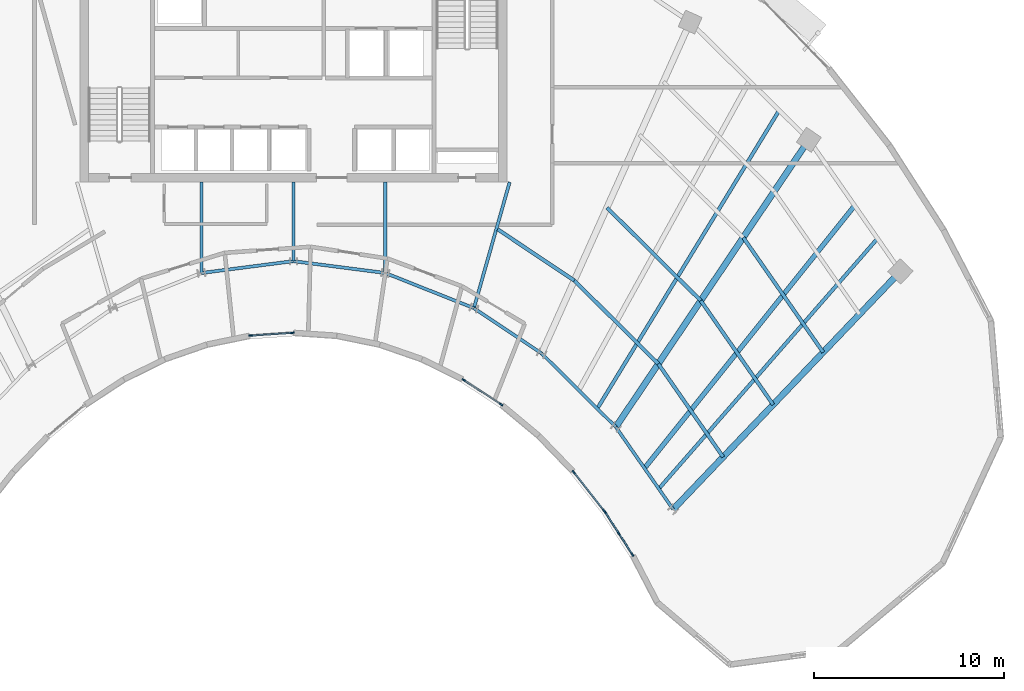
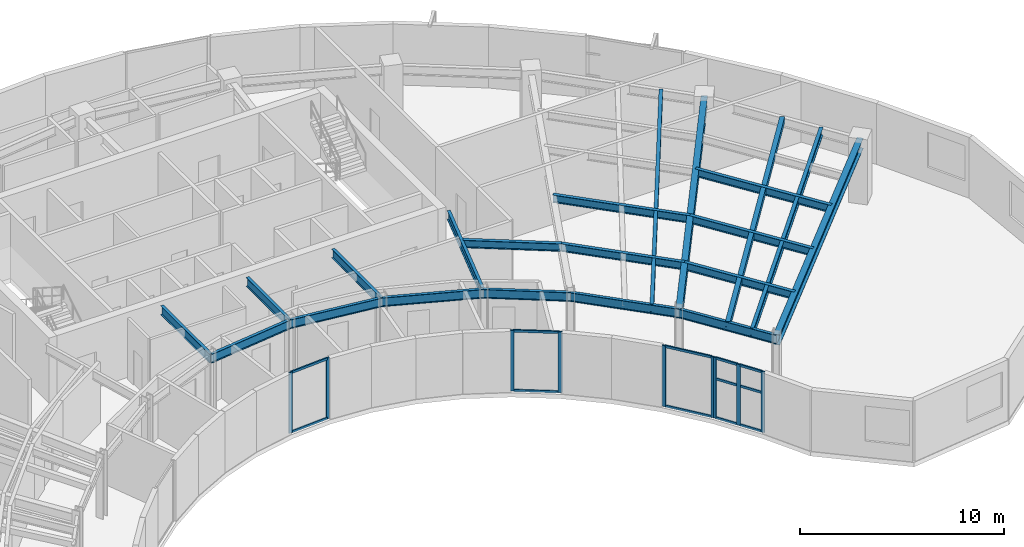
# One storey, part 3 of 14: 21 beams, 21 members, 4 elements without a shape of their own.
"""IFC4 building model written with IfcOpenShell, lengths in metres."""

from ifc_helpers import new_model, si_unit, direction, frame, origin, origin_2d, place, context, subcontext, project, spatial, rectangle, hollow_rectangle, i_section, extrude, source, transform, mapped, material, layer, layer_set, material_profile, profile_set, type_object, type_shapes, element, aggregate, save


model = new_model("IFC4")

# Units and contexts
model_context = context("Model", 3, precision=1e-05, world=origin(), true_north=direction((0.0, 1.0)))
body_context = subcontext(model_context, "Body", "Model", "MODEL_VIEW")
ifc_project = project(units=[si_unit("LENGTHUNIT", "METRE"), si_unit("AREAUNIT", "SQUARE_METRE"), si_unit("VOLUMEUNIT", "CUBIC_METRE"), si_unit("PLANEANGLEUNIT", "RADIAN"), si_unit("MASSUNIT", "GRAM", prefix="KILO")], contexts=[model_context])

# Site, building, storey
site_placement = place(None, origin())
site = spatial("IfcSite", under=ifc_project, at=site_placement, CompositionType="ELEMENT")
building_placement = place(site_placement, origin())
building = spatial("IfcBuilding", under=site, at=building_placement, Name="Breltana Convention Tower", CompositionType="ELEMENT")
storey_placement = place(building_placement, frame((0.0, 0.0, 215.699951171875)))
storey = spatial("IfcBuildingStorey", under=building, at=storey_placement, Name="L52", CompositionType="ELEMENT", Elevation=215.699951171875)

# Beams
ifc_material_1 = material(Name="Steel ASTM A992 Grade 50", Category="steel")
ifc_material_profile_1 = material_profile(ifc_material_1, i_section(OverallWidth=0.19091796875, OverallDepth=0.4599609375, WebThickness=0.010009765625, FlangeThickness=0.01611328125, at=origin_2d()), Name="W18X55")
ifc_profile_set_1 = profile_set([ifc_material_profile_1], Name="Steel ASTM A992 Grade 50")
beam_type_1 = type_object("IfcBeamType", Name="BM-JSG-07", PredefinedType="JOIST", material=ifc_profile_set_1)
shared_shape_1 = source(origin(), body_context, "Body", "SweptSolid", [
    extrude(i_section(OverallWidth=0.19091796875, OverallDepth=0.4599609375, WebThickness=0.010009765625, FlangeThickness=0.01611328125, at=origin_2d()), origin(), (0.0, 0.0, 1.0), 4.854736328125),
])
beam_1_placement = place(storey_placement, frame((58.767578125, 57.71240234375, 3.41015625), z_axis=(0.831485074305, -0.555547091801, 0.0), x_axis=(0.555547091801, 0.831485074305, 0.0)))
element("IfcBeam", 1, at=beam_1_placement, inside=storey, type_object=beam_type_1, Name="L52 Composite Floor Joist 08.1", PredefinedType="JOIST", context=body_context, shape_type="MappedRepresentation", body=[
    mapped(shared_shape_1, transform((0.0, 0.0, 0.0), scale=1.0)),
])
shared_shape_2 = source(origin(), body_context, "Body", "SweptSolid", [
    extrude(i_section(OverallWidth=0.19091796875, OverallDepth=0.4599609375, WebThickness=0.010009765625, FlangeThickness=0.01611328125, at=origin_2d()), origin(), (0.0, 0.0, 1.0), 6.2373046875),
])
beam_2_placement = place(storey_placement, frame((62.80419921875, 55.015380859375, 3.41015625), z_axis=(0.710114292485, -0.704086423394, 0.0), x_axis=(0.704086423394, 0.710114292485, 0.0)))
element("IfcBeam", 2, at=beam_2_placement, inside=storey, type_object=beam_type_1, Name="L52 Composite Floor Joist 09.1", PredefinedType="JOIST", context=body_context, shape_type="MappedRepresentation", body=[
    mapped(shared_shape_2, transform((0.0, 0.0, 0.0), scale=1.0)),
])
shared_shape_3 = source(origin(), body_context, "Body", "SweptSolid", [
    extrude(i_section(OverallWidth=0.19091796875, OverallDepth=0.4599609375, WebThickness=0.010009765625, FlangeThickness=0.01611328125, at=origin_2d()), origin(), (0.0, 0.0, 1.0), 6.963134765625),
])
beam_3_placement = place(storey_placement, frame((64.526611328125, 58.8564453125, 3.41015625), z_axis=(0.71009817493, -0.704102678564, 0.0), x_axis=(0.704102678564, 0.71009817493, 0.0)))
element("IfcBeam", 3, at=beam_3_placement, inside=storey, type_object=beam_type_1, Name="L52 Composite Floor Joist 09.2", PredefinedType="JOIST", context=body_context, shape_type="MappedRepresentation", body=[
    mapped(shared_shape_3, transform((0.0, 0.0, 0.0), scale=1.0)),
])
shared_shape_4 = source(origin(), body_context, "Body", "SweptSolid", [
    extrude(i_section(OverallWidth=0.19091796875, OverallDepth=0.4599609375, WebThickness=0.010009765625, FlangeThickness=0.01611328125, at=origin_2d()), origin(), (0.0, 0.0, 1.0), 18.409423828125),
])
beam_4_placement = place(storey_placement, frame((64.017333984375, 48.263916015625, 3.41015625), z_axis=(0.520682167606, 0.853750596098, 0.0), x_axis=(-0.853750596098, 0.520682167606, 0.0)))
element("IfcBeam", 4, at=beam_4_placement, inside=storey, type_object=beam_type_1, Name="L52 Quarter-Bay Radial Trimmer 09", PredefinedType="JOIST", context=body_context, shape_type="MappedRepresentation", body=[
    mapped(shared_shape_4, transform((0.0, 0.0, 0.0), scale=1.0)),
])
shared_shape_5 = source(origin(), body_context, "Body", "SweptSolid", [
    extrude(i_section(OverallWidth=0.19091796875, OverallDepth=0.4599609375, WebThickness=0.010009765625, FlangeThickness=0.01611328125, at=origin_2d()), origin(), (0.0, 0.0, 1.0), 5.982421875),
])
beam_5_placement = place(storey_placement, frame((67.2333984375, 50.623779296875, 3.41015625), z_axis=(0.571211549446, -0.82080287876, 0.0), x_axis=(0.82080287876, 0.571211549446, 0.0)))
element("IfcBeam", 5, at=beam_5_placement, inside=storey, type_object=beam_type_1, Name="L52 Composite Floor Joist 10.1", PredefinedType="JOIST", context=body_context, shape_type="MappedRepresentation", body=[
    mapped(shared_shape_5, transform((0.0, 0.0, 0.0), scale=1.0)),
])
shared_shape_6 = source(origin(), body_context, "Body", "SweptSolid", [
    extrude(i_section(OverallWidth=0.19091796875, OverallDepth=0.4599609375, WebThickness=0.010009765625, FlangeThickness=0.01611328125, at=origin_2d()), origin(), (0.0, 0.0, 1.0), 6.677978515625),
])
beam_6_placement = place(storey_placement, frame((69.47119140625, 53.95361328125, 3.41015625), z_axis=(0.571193018768, -0.820815774282, 0.0), x_axis=(0.820815774282, 0.571193018768, 0.0)))
element("IfcBeam", 6, at=beam_6_placement, inside=storey, type_object=beam_type_1, Name="L52 Composite Floor Joist 10.2", PredefinedType="JOIST", context=body_context, shape_type="MappedRepresentation", body=[
    mapped(shared_shape_6, transform((0.0, 0.0, 0.0), scale=1.0)),
])
shared_shape_7 = source(origin(), body_context, "Body", "SweptSolid", [
    extrude(i_section(OverallWidth=0.19091796875, OverallDepth=0.4599609375, WebThickness=0.010009765625, FlangeThickness=0.01611328125, at=origin_2d()), origin(), (0.0, 0.0, 1.0), 7.374267578125),
])
beam_7_placement = place(storey_placement, frame((71.70849609375, 57.28369140625, 3.41015625), z_axis=(0.571229379406, -0.820790470281, 0.0), x_axis=(0.820790470281, 0.571229379406, 0.0)))
element("IfcBeam", 7, at=beam_7_placement, inside=storey, type_object=beam_type_1, Name="L52 Composite Floor Joist 10.3", PredefinedType="JOIST", context=body_context, shape_type="MappedRepresentation", body=[
    mapped(shared_shape_7, transform((0.0, 0.0, 0.0), scale=1.0)),
])
ifc_material_profile_2 = material_profile(ifc_material_1, hollow_rectangle(XDim=0.25, YDim=0.35009765625, WallThickness=0.011962890625, at=origin_2d()), Name="RHS350X250X12")
ifc_profile_set_2 = profile_set([ifc_material_profile_2], Name="Steel ASTM A992 Grade 50")
beam_type_2 = type_object("IfcBeamType", Name="BM-JSG-12", PredefinedType="JOIST", material=ifc_profile_set_2)
shared_shape_8 = source(origin(), body_context, "Body", "SweptSolid", [
    extrude(hollow_rectangle(XDim=0.25, YDim=0.35009765625, WallThickness=0.011962890625, at=origin_2d()), origin(), (0.0, 0.0, 1.0), 17.7236328125),
])
beam_8_placement = place(storey_placement, frame((66.505615234375, 45.124267578125, 3.465087890625), z_axis=(0.624829427563, 0.78076128647, 0.0), x_axis=(-0.78076128647, 0.624829427563, 0.0)))
element("IfcBeam", 8, at=beam_8_placement, inside=storey, type_object=beam_type_2, Name="L52 Mid-Bay Radial Trimmer 10", PredefinedType="JOIST", context=body_context, shape_type="MappedRepresentation", body=[
    mapped(shared_shape_8, transform((0.0, 0.0, 0.0), scale=1.0)),
])
shared_shape_9 = source(origin(), body_context, "Body", "SweptSolid", [
    extrude(i_section(OverallWidth=0.19091796875, OverallDepth=0.4599609375, WebThickness=0.010009765625, FlangeThickness=0.01611328125, at=origin_2d()), origin(), (0.0, 0.0, 1.0), 17.515625),
])
beam_9_placement = place(storey_placement, frame((67.260498046875, 44.03955078125, 3.41015625), z_axis=(0.658051548324, 0.752972881151, 0.0), x_axis=(-0.752972881151, 0.658051548324, 0.0)))
element("IfcBeam", 9, at=beam_9_placement, inside=storey, type_object=beam_type_1, Name="L52 Quarter-Bay Radial Trimmer 10", PredefinedType="JOIST", context=body_context, shape_type="MappedRepresentation", body=[
    mapped(shared_shape_9, transform((0.0, 0.0, 0.0), scale=1.0)),
])
ifc_material_profile_3 = material_profile(ifc_material_1, i_section(OverallWidth=0.166015625, OverallDepth=0.534912109375, WebThickness=0.01025390625, FlangeThickness=0.0166015625, at=origin_2d()), Name="W21X57")
ifc_profile_set_3 = profile_set([ifc_material_profile_3], Name="Steel ASTM A992 Grade 50")
beam_type_3 = type_object("IfcBeamType", Name="BM-BM-W21X57", PredefinedType="BEAM", material=ifc_profile_set_3)
shared_shape_10 = source(origin(), body_context, "Body", "SweptSolid", [
    extrude(i_section(OverallWidth=0.166015625, OverallDepth=0.534912109375, WebThickness=0.01025390625, FlangeThickness=0.0166015625, at=origin_2d()), origin(), (0.0, 0.0, 1.0), 6.904541015625),
])
type_shapes(beam_type_3, [shared_shape_10])
beam_10_placement = place(storey_placement, frame((59.39990234375, 60.199951171875, 3.37255859375), z_axis=(-0.273006781054, -0.962012108811, 0.0), x_axis=(0.962012108811, -0.273006781054, 0.0)))
element("IfcBeam", 10, at=beam_10_placement, inside=storey, type_object=beam_type_3, Name="L52 South Core Tie Girder R08", PredefinedType="BEAM", context=body_context, shape_type="MappedRepresentation", body=[
    mapped(shared_shape_10, transform((0.0, 0.0, 0.0), scale=1.0)),
])
shared_shape_11 = source(origin(), body_context, "Body", "SweptSolid", [
    extrude(i_section(OverallWidth=0.166015625, OverallDepth=0.534912109375, WebThickness=0.01025390625, FlangeThickness=0.0166015625, at=origin_2d()), origin(), (0.0, 0.0, 1.0), 4.789306640625),
])
for number, where, z_axis, x_axis, name in (
    (11, (43.153564453125, 60.199951171875, 3.37255859375), (0.0, -1.0, 0.0), (1.0, 0.0, 0.0), "L52 South Core Tie Girder R05"),
    (12, (52.846435546875, 60.199951171875, 3.37255859375), (0.0, -1.0, 0.0), (1.0, 0.0, 0.0), "L52 South Core Tie Girder R07"),
):
    element("IfcBeam", number, at=place(storey_placement, frame(where, z_axis=z_axis, x_axis=x_axis)), inside=storey, type_object=beam_type_3, Name=name, PredefinedType="BEAM", context=body_context, shape_type="MappedRepresentation", body=[
        mapped(shared_shape_11, transform((0.0, 0.0, 0.0), scale=1.0)),
    ])
shared_shape_12 = source(origin(), body_context, "Body", "SweptSolid", [
    extrude(i_section(OverallWidth=0.166015625, OverallDepth=0.534912109375, WebThickness=0.01025390625, FlangeThickness=0.0166015625, at=origin_2d()), origin(), (0.0, 0.0, 1.0), 4.1640625),
])
beam_11_placement = place(storey_placement, frame((48.0, 60.199951171875, 3.37255859375), z_axis=(0.0, -1.0, 0.0), x_axis=(1.0, 0.0, 0.0)))
element("IfcBeam", 13, at=beam_11_placement, inside=storey, type_object=beam_type_3, Name="L52 South Core Tie Girder R06", PredefinedType="BEAM", context=body_context, shape_type="MappedRepresentation", body=[
    mapped(shared_shape_12, transform((0.0, 0.0, 0.0), scale=1.0)),
])
shared_shape_13 = source(origin(), body_context, "Body", "SweptSolid", [
    extrude(i_section(OverallWidth=0.166015625, OverallDepth=0.534912109375, WebThickness=0.01025390625, FlangeThickness=0.0166015625, at=origin_2d()), origin(), (0.0, 0.0, 1.0), 5.022705078125),
])
beam_12_placement = place(storey_placement, frame((52.846435546875, 55.41064453125, 3.37255859375), z_axis=(0.929458966248, -0.368925507469, 0.0), x_axis=(0.368925507469, 0.929458966248, 0.0)))
element("IfcBeam", 14, at=beam_12_placement, inside=storey, type_object=beam_type_3, Name="L52 Inner Ring Beam 07", PredefinedType="BEAM", context=body_context, shape_type="MappedRepresentation", body=[
    mapped(shared_shape_13, transform((0.0, 0.0, 0.0), scale=1.0)),
])
shared_shape_14 = source(origin(), body_context, "Body", "SweptSolid", [
    extrude(i_section(OverallWidth=0.166015625, OverallDepth=0.534912109375, WebThickness=0.01025390625, FlangeThickness=0.0166015625, at=origin_2d()), origin(), (0.0, 0.0, 1.0), 4.88671875),
])
for number, where, z_axis, x_axis, name in (
    (15, (43.153564453125, 55.41064453125, 3.37255859375), (0.991780525565, 0.127950729231, 0.0), (-0.127950729231, 0.991780525565, 0.0), "L52 Inner Ring Beam 05"),
    (16, (48.0, 56.035888671875, 3.37255859375), (0.991780525565, -0.127950729231, 0.0), (0.127950729231, 0.991780525565, 0.0), "L52 Inner Ring Beam 06"),
):
    element("IfcBeam", number, at=place(storey_placement, frame(where, z_axis=z_axis, x_axis=x_axis)), inside=storey, type_object=beam_type_3, Name=name, PredefinedType="BEAM", context=body_context, shape_type="MappedRepresentation", body=[
        mapped(shared_shape_14, transform((0.0, 0.0, 0.0), scale=1.0)),
    ])
shared_shape_15 = source(origin(), body_context, "Body", "SweptSolid", [
    extrude(i_section(OverallWidth=0.166015625, OverallDepth=0.534912109375, WebThickness=0.01025390625, FlangeThickness=0.0166015625, at=origin_2d()), origin(), (0.0, 0.0, 1.0), 4.2900390625),
])
beam_13_placement = place(storey_placement, frame((57.514892578125, 53.5576171875, 3.37255859375), z_axis=(0.831515827753, -0.555501060482, 0.0), x_axis=(0.555501060482, 0.831515827753, 0.0)))
element("IfcBeam", 17, at=beam_13_placement, inside=storey, type_object=beam_type_3, Name="L52 Inner Ring Beam 08", PredefinedType="BEAM", context=body_context, shape_type="MappedRepresentation", body=[
    mapped(shared_shape_15, transform((0.0, 0.0, 0.0), scale=1.0)),
])
shared_shape_16 = source(origin(), body_context, "Body", "SweptSolid", [
    extrude(i_section(OverallWidth=0.166015625, OverallDepth=0.534912109375, WebThickness=0.01025390625, FlangeThickness=0.0166015625, at=origin_2d()), origin(), (0.0, 0.0, 1.0), 5.51171875),
])
beam_14_placement = place(storey_placement, frame((61.08203125, 51.174560546875, 3.37255859375), z_axis=(0.710090360749, -0.704110559196, 0.0), x_axis=(0.704110559196, 0.710090360749, 0.0)))
element("IfcBeam", 18, at=beam_14_placement, inside=storey, type_object=beam_type_3, Name="L52 Inner Ring Beam 09", PredefinedType="BEAM", context=body_context, shape_type="MappedRepresentation", body=[
    mapped(shared_shape_16, transform((0.0, 0.0, 0.0), scale=1.0)),
])
shared_shape_17 = source(origin(), body_context, "Body", "SweptSolid", [
    extrude(i_section(OverallWidth=0.166015625, OverallDepth=0.534912109375, WebThickness=0.01025390625, FlangeThickness=0.0166015625, at=origin_2d()), origin(), (0.0, 0.0, 1.0), 5.286376953125),
])
beam_15_placement = place(storey_placement, frame((64.995849609375, 47.293701171875, 3.37255859375), z_axis=(0.571194382458, -0.82081482531, 0.0), x_axis=(0.82081482531, 0.571194382458, 0.0)))
element("IfcBeam", 19, at=beam_15_placement, inside=storey, type_object=beam_type_3, Name="L52 Inner Ring Beam 10", PredefinedType="BEAM", context=body_context, shape_type="MappedRepresentation", body=[
    mapped(shared_shape_17, transform((0.0, 0.0, 0.0), scale=1.0)),
])
ifc_material_profile_4 = material_profile(ifc_material_1, i_section(OverallWidth=0.326904296875, OverallDepth=0.6220703125, WebThickness=0.015380859375, FlangeThickness=0.0244140625, at=origin_2d()), Name="W24X131")
ifc_profile_set_4 = profile_set([ifc_material_profile_4], Name="Steel ASTM A992 Grade 50")
beam_type_4 = type_object("IfcBeamType", Name="BM-RG-W24X131", PredefinedType="USERDEFINED", material=ifc_profile_set_4)
shared_shape_18 = source(origin(), body_context, "Body", "SweptSolid", [
    extrude(i_section(OverallWidth=0.326904296875, OverallDepth=0.6220703125, WebThickness=0.015380859375, FlangeThickness=0.0244140625, at=origin_2d()), origin(), (0.0, 0.0, 1.0), 17.341064453125),
])
type_shapes(beam_type_4, [shared_shape_18])
beam_16_placement = place(storey_placement, frame((68.015380859375, 42.95458984375, 3.3291015625), z_axis=(0.690716462293, 0.723125693581, 0.0), x_axis=(-0.723125693581, 0.690716462293, 0.0)))
element("IfcBeam", 20, at=beam_16_placement, inside=storey, type_object=beam_type_4, Name="L52 Radial Floor Girder R11", ObjectType="GIRDER", PredefinedType="USERDEFINED", context=body_context, shape_type="MappedRepresentation", body=[
    mapped(shared_shape_18, transform((0.0, 0.0, 0.0), scale=1.0)),
])
shared_shape_19 = source(origin(), body_context, "Body", "SweptSolid", [
    extrude(i_section(OverallWidth=0.326904296875, OverallDepth=0.6220703125, WebThickness=0.015380859375, FlangeThickness=0.0244140625, at=origin_2d()), origin(), (0.0, 0.0, 1.0), 18.236328125),
])
beam_17_placement = place(storey_placement, frame((64.995849609375, 47.293701171875, 3.3291015625), z_axis=(0.557730360975, 0.830022195153, 0.0), x_axis=(-0.830022195153, 0.557730360975, 0.0)))
element("IfcBeam", 21, at=beam_17_placement, inside=storey, type_object=beam_type_4, Name="L52 Radial Floor Girder R10", ObjectType="GIRDER", PredefinedType="USERDEFINED", context=body_context, shape_type="MappedRepresentation", body=[
    mapped(shared_shape_19, transform((0.0, 0.0, 0.0), scale=1.0)),
])

# Curtain wall, members
ifc_material_2 = material(Name="Aluminium Anodised Bronze Frame", Category="aluminium")
ifc_layer = layer(ifc_material_2, 0.18994140625, Name="Aluminium Anodised Bronze Frame")
ifc_layer_set = layer_set([ifc_layer], Name="Aluminium Anodised Bronze Frame")
curtain_wall_type = type_object("IfcCurtainWallType", Name="CW-SYS-1", PredefinedType="NOTDEFINED", material=ifc_layer_set)
curtain_wall_1_placement = place(storey_placement, origin())
curtain_wall_1 = element("IfcCurtainWall", 22, at=curtain_wall_1_placement, inside=storey, type_object=curtain_wall_type, Name="L52 inner south-court glazing 1", PredefinedType="NOTDEFINED")
ifc_material_3 = material(Name="Aluminium Anodised Bronze", Category="aluminium")
ifc_material_profile_5 = material_profile(ifc_material_3, rectangle(XDim=0.080078125, YDim=0.139892578125, at=origin_2d()), Name="CWT-80X140")
ifc_profile_set_5 = profile_set([ifc_material_profile_5], Name="Aluminium Anodised Bronze")
member_type_1 = type_object("IfcMemberType", Name="CWT-140", PredefinedType="USERDEFINED", material=ifc_profile_set_5)
shared_shape_20 = source(origin(), body_context, "Body", "SweptSolid", [
    extrude(rectangle(XDim=0.080078125, YDim=0.139892578125, at=origin_2d()), origin(), (0.0, 0.0, 1.0), 1.251220703125),
])
member_1_placement = place(storey_placement, frame((65.84716796875, 40.6025390625, 0.0400390625), z_axis=(-0.540116397582, 0.841590326146, 0.0), x_axis=(-0.841590326146, -0.540116397582, 0.0)))
member_1 = element("IfcMember", 23, at=member_1_placement, type_object=member_type_1, Name="CW-01 transom 1.1", ObjectType="TRANSOM", PredefinedType="USERDEFINED", context=body_context, shape_type="MappedRepresentation", body=[
    mapped(shared_shape_20, transform((0.0, 0.0, 0.0), scale=1.0)),
])
member_2_placement = place(storey_placement, frame((65.84716796875, 40.6025390625, 2.365966796875), z_axis=(-0.540116397582, 0.841590326146, 0.0), x_axis=(-0.841590326146, -0.540116397582, 0.0)))
member_2 = element("IfcMember", 24, at=member_2_placement, type_object=member_type_1, Name="CW-01 transom 1.2", ObjectType="TRANSOM", PredefinedType="USERDEFINED", context=body_context, shape_type="MappedRepresentation", body=[
    mapped(shared_shape_20, transform((0.0, 0.0, 0.0), scale=1.0)),
])
member_3_placement = place(storey_placement, frame((65.84716796875, 40.6025390625, 3.60009765625), z_axis=(-0.540116397582, 0.841590326146, 0.0), x_axis=(-0.841590326146, -0.540116397582, 0.0)))
member_3 = element("IfcMember", 25, at=member_3_placement, type_object=member_type_1, Name="CW-01 transom 1.3", ObjectType="TRANSOM", PredefinedType="USERDEFINED", context=body_context, shape_type="MappedRepresentation", body=[
    mapped(shared_shape_20, transform((0.0, 0.0, 0.0), scale=1.0)),
])
shared_shape_21 = source(origin(), body_context, "Body", "SweptSolid", [
    extrude(rectangle(XDim=0.080078125, YDim=0.139892578125, at=origin_2d()), origin(), (0.0, 0.0, 1.0), 1.2509765625),
])
member_4_placement = place(storey_placement, frame((65.128173828125, 41.722900390625, 0.0400390625), z_axis=(-0.54020510624, 0.841533388044, 0.0), x_axis=(-0.841533388044, -0.54020510624, 0.0)))
member_4 = element("IfcMember", 26, at=member_4_placement, type_object=member_type_1, Name="CW-01 transom 2.1", ObjectType="TRANSOM", PredefinedType="USERDEFINED", context=body_context, shape_type="MappedRepresentation", body=[
    mapped(shared_shape_21, transform((0.0, 0.0, 0.0), scale=1.0)),
])
member_5_placement = place(storey_placement, frame((65.128173828125, 41.722900390625, 2.365966796875), z_axis=(-0.54020510624, 0.841533388044, 0.0), x_axis=(-0.841533388044, -0.54020510624, 0.0)))
member_5 = element("IfcMember", 27, at=member_5_placement, type_object=member_type_1, Name="CW-01 transom 2.2", ObjectType="TRANSOM", PredefinedType="USERDEFINED", context=body_context, shape_type="MappedRepresentation", body=[
    mapped(shared_shape_21, transform((0.0, 0.0, 0.0), scale=1.0)),
])
member_6_placement = place(storey_placement, frame((65.128173828125, 41.722900390625, 3.60009765625), z_axis=(-0.54020510624, 0.841533388044, 0.0), x_axis=(-0.841533388044, -0.54020510624, 0.0)))
member_6 = element("IfcMember", 28, at=member_6_placement, type_object=member_type_1, Name="CW-01 transom 2.3", ObjectType="TRANSOM", PredefinedType="USERDEFINED", context=body_context, shape_type="MappedRepresentation", body=[
    mapped(shared_shape_21, transform((0.0, 0.0, 0.0), scale=1.0)),
])

curtain_wall_2_placement = place(storey_placement, origin())
curtain_wall_2 = element("IfcCurtainWall", 29, at=curtain_wall_2_placement, inside=storey, type_object=curtain_wall_type, Name="L52 inner south-court glazing 2", PredefinedType="NOTDEFINED")
shared_shape_22 = source(origin(), body_context, "Body", "SweptSolid", [
    extrude(rectangle(XDim=0.080078125, YDim=0.139892578125, at=origin_2d()), origin(), (0.0, 0.0, 1.0), 2.505859375),
])
member_7_placement = place(storey_placement, frame((64.349853515625, 42.919921875, 0.0400390625), z_axis=(-0.618174316854, 0.786041038357, 0.0), x_axis=(-0.786041038357, -0.618174316854, 0.0)))
member_7 = element("IfcMember", 30, at=member_7_placement, type_object=member_type_1, Name="CW-01 transom 1.1", ObjectType="TRANSOM", PredefinedType="USERDEFINED", context=body_context, shape_type="MappedRepresentation", body=[
    mapped(shared_shape_22, transform((0.0, 0.0, 0.0), scale=1.0)),
])
member_8_placement = place(storey_placement, frame((64.349853515625, 42.919921875, 3.60009765625), z_axis=(-0.618174316854, 0.786041038357, 0.0), x_axis=(-0.786041038357, -0.618174316854, 0.0)))
member_8 = element("IfcMember", 31, at=member_8_placement, type_object=member_type_1, Name="CW-01 transom 1.2", ObjectType="TRANSOM", PredefinedType="USERDEFINED", context=body_context, shape_type="MappedRepresentation", body=[
    mapped(shared_shape_22, transform((0.0, 0.0, 0.0), scale=1.0)),
])

curtain_wall_3_placement = place(storey_placement, origin())
curtain_wall_3 = element("IfcCurtainWall", 32, at=curtain_wall_3_placement, inside=storey, type_object=curtain_wall_type, Name="L52 inner south-court glazing 3", PredefinedType="NOTDEFINED")
shared_shape_23 = source(origin(), body_context, "Body", "SweptSolid", [
    extrude(rectangle(XDim=0.080078125, YDim=0.139892578125, at=origin_2d()), origin(), (0.0, 0.0, 1.0), 2.2802734375),
])
member_9_placement = place(storey_placement, frame((58.916015625, 48.505615234375, 0.0400390625), z_axis=(-0.835998794371, 0.548731278324, 0.0), x_axis=(-0.548731278324, -0.835998794371, 0.0)))
member_9 = element("IfcMember", 33, at=member_9_placement, type_object=member_type_1, Name="CW-01 transom 1.1", ObjectType="TRANSOM", PredefinedType="USERDEFINED", context=body_context, shape_type="MappedRepresentation", body=[
    mapped(shared_shape_23, transform((0.0, 0.0, 0.0), scale=1.0)),
])
member_10_placement = place(storey_placement, frame((58.916015625, 48.505615234375, 3.60009765625), z_axis=(-0.835998794371, 0.548731278324, 0.0), x_axis=(-0.548731278324, -0.835998794371, 0.0)))
member_10 = element("IfcMember", 34, at=member_10_placement, type_object=member_type_1, Name="CW-01 transom 1.2", ObjectType="TRANSOM", PredefinedType="USERDEFINED", context=body_context, shape_type="MappedRepresentation", body=[
    mapped(shared_shape_23, transform((0.0, 0.0, 0.0), scale=1.0)),
])

curtain_wall_4_placement = place(storey_placement, origin())
curtain_wall_4 = element("IfcCurtainWall", 35, at=curtain_wall_4_placement, inside=storey, type_object=curtain_wall_type, Name="L52 inner south-court glazing 4", PredefinedType="NOTDEFINED")
shared_shape_24 = source(origin(), body_context, "Body", "SweptSolid", [
    extrude(rectangle(XDim=0.080078125, YDim=0.139892578125, at=origin_2d()), origin(), (0.0, 0.0, 1.0), 2.114013671875),
])
member_11_placement = place(storey_placement, frame((47.907958984375, 52.257080078125, 0.0400390625), z_axis=(-0.997707323694, -0.067676408344, 0.0), x_axis=(0.067676408344, -0.997707323694, 0.0)))
member_11 = element("IfcMember", 36, at=member_11_placement, type_object=member_type_1, Name="CW-01 transom 1.1", ObjectType="TRANSOM", PredefinedType="USERDEFINED", context=body_context, shape_type="MappedRepresentation", body=[
    mapped(shared_shape_24, transform((0.0, 0.0, 0.0), scale=1.0)),
])
member_12_placement = place(storey_placement, frame((47.907958984375, 52.257080078125, 3.60009765625), z_axis=(-0.997707323694, -0.067676408344, 0.0), x_axis=(0.067676408344, -0.997707323694, 0.0)))
member_12 = element("IfcMember", 37, at=member_12_placement, type_object=member_type_1, Name="CW-01 transom 1.2", ObjectType="TRANSOM", PredefinedType="USERDEFINED", context=body_context, shape_type="MappedRepresentation", body=[
    mapped(shared_shape_24, transform((0.0, 0.0, 0.0), scale=1.0)),
])

# Member
ifc_material_profile_6 = material_profile(ifc_material_3, rectangle(XDim=0.080078125, YDim=0.199951171875, at=origin_2d()), Name="CWM-80X200")
ifc_profile_set_6 = profile_set([ifc_material_profile_6], Name="Aluminium Anodised Bronze")
member_type_2 = type_object("IfcMemberType", Name="CWM-200", PredefinedType="MULLION", material=ifc_profile_set_6)
shared_shape_25 = source(origin(), body_context, "Body", "SweptSolid", [
    extrude(rectangle(XDim=0.080078125, YDim=0.199951171875, at=origin_2d()), origin(), (0.0, 0.0, 1.0), 3.64013671875),
])
member_13_placement = place(storey_placement, frame((65.868896484375, 40.56884765625, 0.0), z_axis=(0.0, 0.0, 1.0), x_axis=(-0.841546766968, -0.540184263938, 0.0)))
member_13 = element("IfcMember", 38, at=member_13_placement, type_object=member_type_2, Name="CW-01 mullion 1", PredefinedType="MULLION", context=body_context, shape_type="MappedRepresentation", body=[
    mapped(shared_shape_25, transform((0.0, 0.0, 0.0), scale=1.0)),
])

member_14_placement = place(storey_placement, frame((65.14990234375, 41.689208984375, 0.0), z_axis=(0.0, 0.0, 1.0), x_axis=(-0.841546766968, -0.540184263938, 0.0)))
member_14 = element("IfcMember", 39, at=member_14_placement, type_object=member_type_2, Name="CW-01 mullion 2", PredefinedType="MULLION", context=body_context, shape_type="MappedRepresentation", body=[
    mapped(shared_shape_25, transform((0.0, 0.0, 0.0), scale=1.0)),
])

member_15_placement = place(storey_placement, frame((64.430908203125, 42.809326171875, 0.0), z_axis=(0.0, 0.0, 1.0), x_axis=(-0.841546766968, -0.540184263938, 0.0)))
member_15 = element("IfcMember", 40, at=member_15_placement, type_object=member_type_2, Name="CW-01 mullion 3", PredefinedType="MULLION", context=body_context, shape_type="MappedRepresentation", body=[
    mapped(shared_shape_25, transform((0.0, 0.0, 0.0), scale=1.0)),
])

aggregate(curtain_wall_1, [member_13, member_14, member_15, member_1, member_2, member_3, member_4, member_5, member_6])

member_16_placement = place(storey_placement, frame((64.37451171875, 42.888427734375, 0.0), z_axis=(0.0, 0.0, 1.0), x_axis=(-0.786060526937, -0.6181495353, 0.0)))
member_16 = element("IfcMember", 41, at=member_16_placement, type_object=member_type_2, Name="CW-01 mullion 1", PredefinedType="MULLION", context=body_context, shape_type="MappedRepresentation", body=[
    mapped(shared_shape_25, transform((0.0, 0.0, 0.0), scale=1.0)),
])

member_17_placement = place(storey_placement, frame((62.776123046875, 44.921142578125, 0.0), z_axis=(0.0, 0.0, 1.0), x_axis=(-0.786060526937, -0.6181495353, 0.0)))
member_17 = element("IfcMember", 42, at=member_17_placement, type_object=member_type_2, Name="CW-01 mullion 2", PredefinedType="MULLION", context=body_context, shape_type="MappedRepresentation", body=[
    mapped(shared_shape_25, transform((0.0, 0.0, 0.0), scale=1.0)),
])

aggregate(curtain_wall_2, [member_16, member_17, member_7, member_8])

member_18_placement = place(storey_placement, frame((58.949462890625, 48.483642578125, 0.0), z_axis=(0.0, 0.0, 1.0), x_axis=(-0.548756690502, -0.835982113821, 0.0)))
member_18 = element("IfcMember", 43, at=member_18_placement, type_object=member_type_2, Name="CW-01 mullion 1", PredefinedType="MULLION", context=body_context, shape_type="MappedRepresentation", body=[
    mapped(shared_shape_25, transform((0.0, 0.0, 0.0), scale=1.0)),
])

member_19_placement = place(storey_placement, frame((56.976318359375, 49.77880859375, 0.0), z_axis=(0.0, 0.0, 1.0), x_axis=(-0.548756690502, -0.835982113821, 0.0)))
member_19 = element("IfcMember", 44, at=member_19_placement, type_object=member_type_2, Name="CW-01 mullion 2", PredefinedType="MULLION", context=body_context, shape_type="MappedRepresentation", body=[
    mapped(shared_shape_25, transform((0.0, 0.0, 0.0), scale=1.0)),
])

aggregate(curtain_wall_3, [member_18, member_19, member_9, member_10])

member_20_placement = place(storey_placement, frame((47.947998046875, 52.260009765625, 0.0), z_axis=(0.0, 0.0, 1.0), x_axis=(0.067724435121, -0.997704064785, 0.0)))
member_20 = element("IfcMember", 45, at=member_20_placement, type_object=member_type_2, Name="CW-01 mullion 1", PredefinedType="MULLION", context=body_context, shape_type="MappedRepresentation", body=[
    mapped(shared_shape_25, transform((0.0, 0.0, 0.0), scale=1.0)),
])

member_21_placement = place(storey_placement, frame((45.759033203125, 52.111328125, 0.0), z_axis=(0.0, 0.0, 1.0), x_axis=(0.067724435121, -0.997704064785, 0.0)))
member_21 = element("IfcMember", 46, at=member_21_placement, type_object=member_type_2, Name="CW-01 mullion 2", PredefinedType="MULLION", context=body_context, shape_type="MappedRepresentation", body=[
    mapped(shared_shape_25, transform((0.0, 0.0, 0.0), scale=1.0)),
])

aggregate(curtain_wall_4, [member_20, member_21, member_11, member_12])

save(model, "model.ifc")
